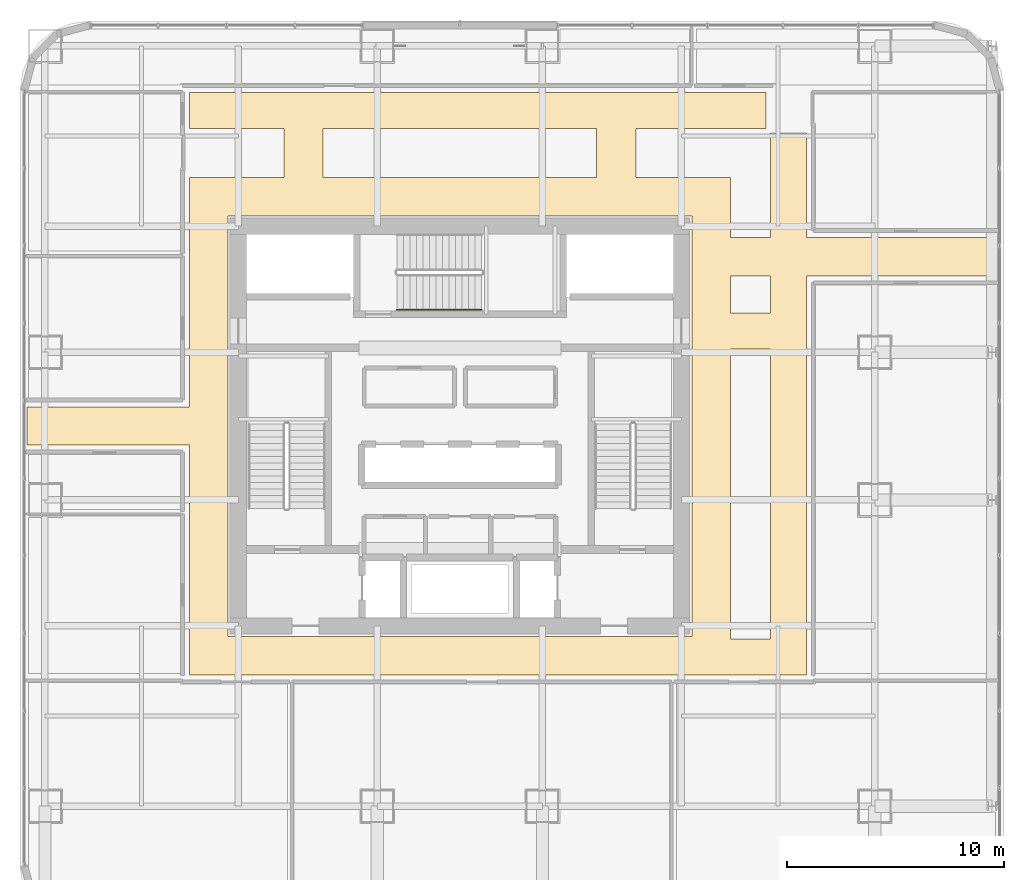
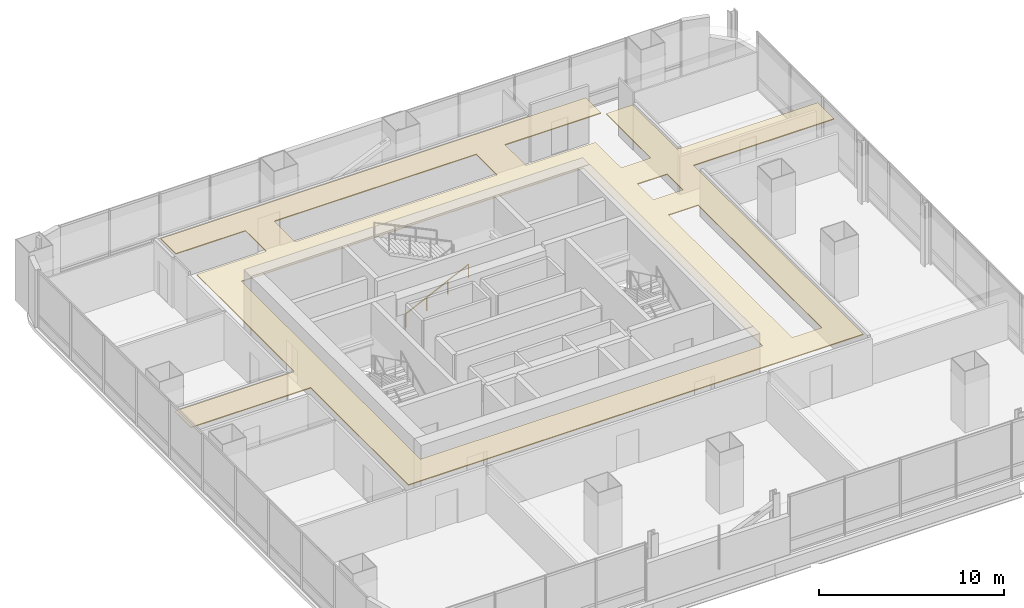
# One storey, part 36 of 40: 1 covering, 1 railing.
"""IFC4 building model written with IfcOpenShell, lengths in metres."""

from ifc_helpers import new_model, si_unit, direction, frame, origin, origin_2d, place, context, subcontext, project, spatial, polyline, circle, outline, extrude, material, layer, layer_set, type_object, element, save


model = new_model("IFC4")

# Units and contexts
model_context = context("Model", 3, precision=1e-05, world=origin(), true_north=direction((0.0, 1.0)))
body_context = subcontext(model_context, "Body", "Model", "MODEL_VIEW")
ifc_project = project(units=[si_unit("LENGTHUNIT", "METRE"), si_unit("AREAUNIT", "SQUARE_METRE"), si_unit("VOLUMEUNIT", "CUBIC_METRE"), si_unit("PLANEANGLEUNIT", "RADIAN"), si_unit("MASSUNIT", "GRAM", prefix="KILO")], contexts=[model_context])

# Site, building, storey
site_placement = place(None, origin())
site = spatial("IfcSite", under=ifc_project, at=site_placement, CompositionType="ELEMENT")
building_placement = place(site_placement, origin())
building = spatial("IfcBuilding", under=site, at=building_placement, Name="Punatoya Terracotta Tower", CompositionType="ELEMENT")
storey_placement = place(building_placement, frame((0.0, 0.0, 76.800048828125)))
storey = spatial("IfcBuildingStorey", under=building, at=storey_placement, Name="L17", CompositionType="ELEMENT", Elevation=76.800048828125)

# Covering
ifc_material_1 = material(Name="Acoustic Mineral Fibre Ceiling")
ifc_layer = layer(ifc_material_1, 0.06005859375)
ifc_layer_set = layer_set([ifc_layer], Name="Acoustic Mineral Fibre Ceiling")
covering_type = type_object("IfcCoveringType", Name="COV-CEIL-60", PredefinedType="CEILING", material=ifc_layer_set)
covering_placement = place(storey_placement, frame((0.0, 0.0, 3.199951171875)))
element("IfcCovering", 1, at=covering_placement, inside=storey, type_object=covering_type, Name="L17 Ring Circulation Corridor Acoustic Ceiling", PredefinedType="CEILING", context=body_context, shape_type="SweptSolid", body=[
    extrude(outline(polyline([(-12.449951171875, 13.699951171875), (-8.10009765625, 13.699951171875), (-8.10009765625, 11.449951171875), (-12.449951171875, 11.449951171875), (-12.449951171875, 0.8798828125), (-19.929931640625, 0.8798828125), (-19.929931640625, -0.8798828125), (-12.449951171875, -0.8798828125), (-12.449951171875, -11.449951171875), (15.949951171875, -11.449951171875), (15.949951171875, 6.919921875), (24.72998046875, 6.919921875), (24.72998046875, 8.679931640625), (15.949951171875, 8.679931640625), (15.949951171875, 13.5), (14.300048828125, 13.5), (14.300048828125, 8.679931640625), (12.449951171875, 8.679931640625), (12.449951171875, 11.449951171875), (8.10009765625, 11.449951171875), (8.10009765625, 13.699951171875), (14.10009765625, 13.699951171875), (14.10009765625, 15.35009765625), (-12.449951171875, 15.35009765625), (-12.449951171875, 13.699951171875)]), holes=[polyline([(12.449951171875, 3.550048828125), (14.300048828125, 3.550048828125), (14.300048828125, -9.800048828125), (12.449951171875, -9.800048828125), (12.449951171875, 3.550048828125)]), polyline([(12.449951171875, 6.919921875), (14.300048828125, 6.919921875), (14.300048828125, 5.199951171875), (12.449951171875, 5.199951171875), (12.449951171875, 6.919921875)]), polyline([(10.679931640625, 9.679931640625), (10.679931640625, -9.679931640625), (-10.679931640625, -9.679931640625), (-10.679931640625, 9.679931640625), (10.679931640625, 9.679931640625)]), polyline([(6.300048828125, 13.699951171875), (6.300048828125, 11.449951171875), (-6.300048828125, 11.449951171875), (-6.300048828125, 13.699951171875), (6.300048828125, 13.699951171875)])]), origin(), (0.0, 0.0, 1.0), 0.06005859375),
])

# Railing
ifc_material_2 = material(Name="Steel S355", Category="steel")
railing_type = type_object("IfcRailingType", Name="RLG-HND-900", PredefinedType="HANDRAIL", material=ifc_material_2)
railing_placement = place(storey_placement, frame((-2.89990234375, 5.35009765625, 0.14453125)))
element("IfcRailing", 2, at=railing_placement, inside=storey, type_object=railing_type, Name="L17 ST-3 stair handrail 1", PredefinedType="HANDRAIL", context=body_context, shape_type="SweptSolid", body=[
    extrude(circle(Radius=0.02392578125, at=origin_2d()), frame((0.0, 0.0, 0.8759765625), z_axis=(0.900763166376, 0.0, 0.434310623978), x_axis=(0.0, 1.0, 0.0)), (0.0, 0.0, 1.0), 4.32958984375),
    extrude(circle(Radius=0.02099609375, at=origin_2d()), origin(), (0.0, 0.0, 1.0), 0.851806640625),
    extrude(circle(Radius=0.02099609375, at=origin_2d()), frame((1.300048828125, 0.0, 0.626708984375)), (0.0, 0.0, 1.0), 0.851806640625),
    extrude(circle(Radius=0.02099609375, at=origin_2d()), frame((2.599853515625, 0.0, 1.253662109375)), (0.0, 0.0, 1.0), 0.851806640625),
    extrude(circle(Radius=0.02099609375, at=origin_2d()), frame((3.89990234375, 0.0, 1.88037109375)), (0.0, 0.0, 1.0), 0.851806640625),
])

save(model, "model.ifc")
